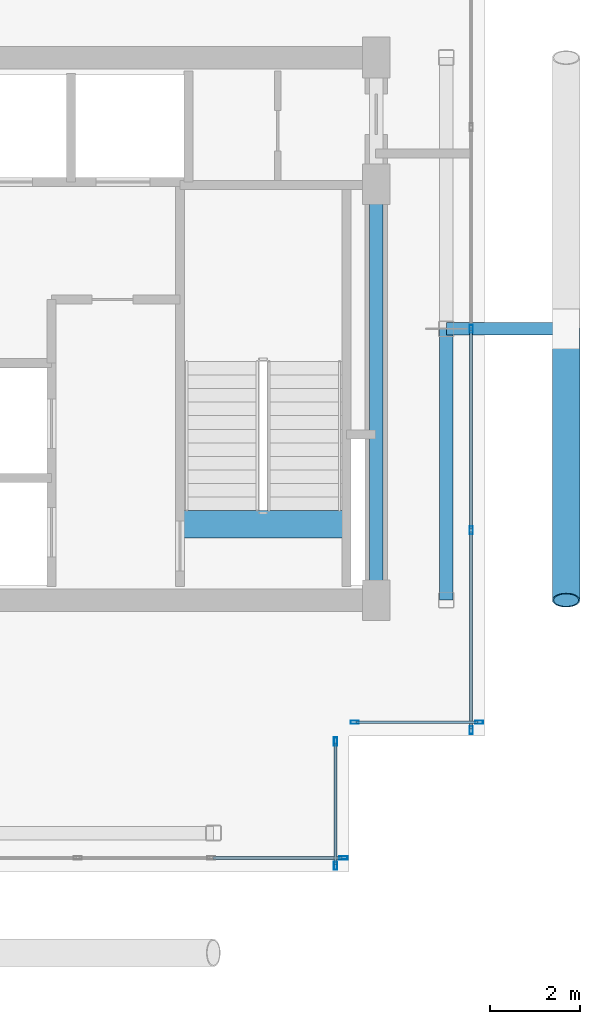
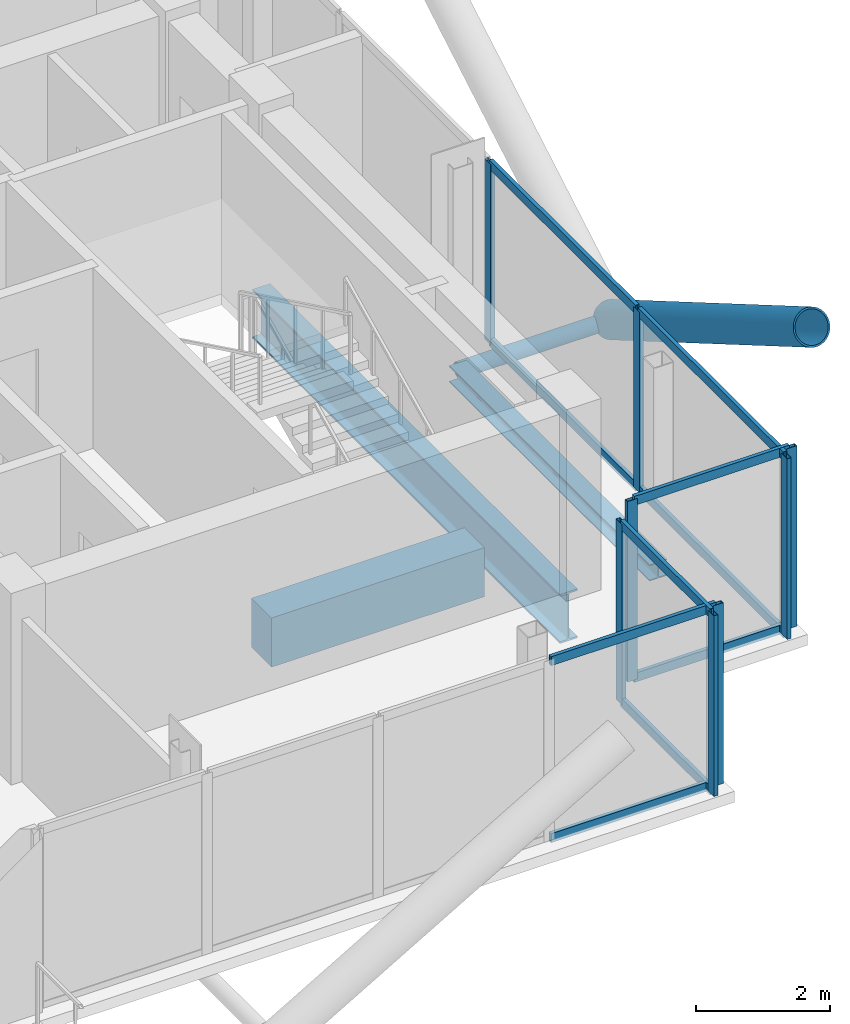
# One storey, part 11 of 18: 20 members, 3 beams, 4 elements without a shape of their own.
"""IFC4 building model written with IfcOpenShell, lengths in metres."""

from ifc_helpers import new_model, si_unit, direction, frame, origin, origin_2d, place, context, subcontext, project, spatial, rectangle, hollow_rectangle, hollow_circle, i_section, extrude, material, layer, layer_set, material_profile, profile_set, type_object, element, aggregate, save


model = new_model("IFC4")

# Units and contexts
model_context = context("Model", 3, precision=1e-05, world=origin(), true_north=direction((0.0, 1.0)))
body_context = subcontext(model_context, "Body", "Model", "MODEL_VIEW")
ifc_project = project(units=[si_unit("LENGTHUNIT", "METRE"), si_unit("AREAUNIT", "SQUARE_METRE"), si_unit("VOLUMEUNIT", "CUBIC_METRE"), si_unit("PLANEANGLEUNIT", "RADIAN"), si_unit("MASSUNIT", "GRAM", prefix="KILO"), si_unit("THERMODYNAMICTEMPERATUREUNIT", "KELVIN"), si_unit("POWERUNIT", "WATT")], contexts=[model_context])

# Site, building, storey
site_placement = place(None, origin())
site = spatial("IfcSite", under=ifc_project, at=site_placement, CompositionType="ELEMENT")
building_placement = place(site_placement, origin())
building = spatial("IfcBuilding", under=site, at=building_placement, Name="Svarakhadi Broadcast Tower", CompositionType="ELEMENT")
storey_placement = place(building_placement, frame((0.0, 0.0, 253.699951171875)))
storey = spatial("IfcBuildingStorey", under=building, at=storey_placement, Name="L63", CompositionType="ELEMENT", Elevation=253.699951171875)

# Curtain wall, members
ifc_material_1 = material(Name="Anodised Bronze Aluminium AA 6063-T6", Category="aluminium")
ifc_layer = layer(ifc_material_1, 0.179931640625)
ifc_layer_set = layer_set([ifc_layer], Name="Anodised Bronze Aluminium AA 6063-T6")
curtain_wall_type = type_object("IfcCurtainWallType", Name="CW_Sys_05", PredefinedType="NOTDEFINED", material=ifc_layer_set)
curtain_wall_1_placement = place(storey_placement, origin())
curtain_wall_1 = element("IfcCurtainWall", 1, at=curtain_wall_1_placement, inside=storey, type_object=curtain_wall_type, Name="L63 Unitised Facade Curtain Wall 13", PredefinedType="NOTDEFINED")
ifc_material_profile_1 = material_profile(ifc_material_1, hollow_rectangle(XDim=0.070068359375, YDim=0.179931640625, WallThickness=0.005615234375, at=origin_2d()), Name="ALU MULLION 180x70x6")
ifc_profile_set_1 = profile_set([ifc_material_profile_1], Name="Anodised Bronze Aluminium AA 6063-T6")
member_type_1 = type_object("IfcMemberType", Name="CW_Sys_05_Mul", PredefinedType="MULLION", material=ifc_profile_set_1)
member_1_placement = place(storey_placement, frame((35.699951171875, 12.0, 0.0), z_axis=(0.0, 0.0, 1.0), x_axis=(1.0, 0.0, 0.0)))
member_1 = element("IfcMember", 2, at=member_1_placement, type_object=member_type_1, Name="CW-05 mullion 3", PredefinedType="MULLION", context=body_context, shape_type="SweptSolid", body=[
    extrude(hollow_rectangle(XDim=0.070068359375, YDim=0.179931640625, WallThickness=0.005615234375, at=origin_2d()), origin(), (0.0, 0.0, 1.0), 3.300048828125),
])
member_2_placement = place(storey_placement, frame((35.699951171875, 7.544921875, 0.0), z_axis=(0.0, 0.0, 1.0), x_axis=(1.0, 0.0, 0.0)))
member_2 = element("IfcMember", 3, at=member_2_placement, type_object=member_type_1, Name="CW-05 mullion 4", PredefinedType="MULLION", context=body_context, shape_type="SweptSolid", body=[
    extrude(hollow_rectangle(XDim=0.070068359375, YDim=0.179931640625, WallThickness=0.005615234375, at=origin_2d()), origin(), (0.0, 0.0, 1.0), 3.300048828125),
])
member_3_placement = place(storey_placement, frame((35.699951171875, 3.125, 0.0), z_axis=(0.0, 0.0, 1.0), x_axis=(1.0, 0.0, 0.0)))
member_3 = element("IfcMember", 4, at=member_3_placement, type_object=member_type_1, Name="CW-05 mullion 5", PredefinedType="MULLION", context=body_context, shape_type="SweptSolid", body=[
    extrude(hollow_rectangle(XDim=0.070068359375, YDim=0.179931640625, WallThickness=0.005615234375, at=origin_2d()), origin(), (0.0, 0.0, 1.0), 3.300048828125),
])

curtain_wall_2_placement = place(storey_placement, origin())
curtain_wall_2 = element("IfcCurtainWall", 5, at=curtain_wall_2_placement, inside=storey, type_object=curtain_wall_type, Name="L63 Unitised Facade Curtain Wall 14", PredefinedType="NOTDEFINED")
member_4_placement = place(storey_placement, frame((35.875, 3.300048828125, 0.0), z_axis=(0.0, 0.0, 1.0), x_axis=(0.0, -1.0, 0.0)))
member_4 = element("IfcMember", 6, at=member_4_placement, type_object=member_type_1, Name="CW-05 mullion 1", PredefinedType="MULLION", context=body_context, shape_type="SweptSolid", body=[
    extrude(hollow_rectangle(XDim=0.070068359375, YDim=0.179931640625, WallThickness=0.005615234375, at=origin_2d()), origin(), (0.0, 0.0, 1.0), 3.300048828125),
])
member_5_placement = place(storey_placement, frame((33.125, 3.300048828125, 0.0), z_axis=(0.0, 0.0, 1.0), x_axis=(0.0, -1.0, 0.0)))
member_5 = element("IfcMember", 7, at=member_5_placement, type_object=member_type_1, Name="CW-05 mullion 2", PredefinedType="MULLION", context=body_context, shape_type="SweptSolid", body=[
    extrude(hollow_rectangle(XDim=0.070068359375, YDim=0.179931640625, WallThickness=0.005615234375, at=origin_2d()), origin(), (0.0, 0.0, 1.0), 3.300048828125),
])

curtain_wall_3_placement = place(storey_placement, origin())
curtain_wall_3 = element("IfcCurtainWall", 8, at=curtain_wall_3_placement, inside=storey, type_object=curtain_wall_type, Name="L63 Unitised Facade Curtain Wall 15", PredefinedType="NOTDEFINED")
member_6_placement = place(storey_placement, frame((32.699951171875, 2.875, 0.0), z_axis=(0.0, 0.0, 1.0), x_axis=(1.0, 0.0, 0.0)))
member_6 = element("IfcMember", 9, at=member_6_placement, type_object=member_type_1, Name="CW-05 mullion 1", PredefinedType="MULLION", context=body_context, shape_type="SweptSolid", body=[
    extrude(hollow_rectangle(XDim=0.070068359375, YDim=0.179931640625, WallThickness=0.005615234375, at=origin_2d()), origin(), (0.0, 0.0, 1.0), 3.300048828125),
])
member_7_placement = place(storey_placement, frame((32.699951171875, 0.125, 0.0), z_axis=(0.0, 0.0, 1.0), x_axis=(1.0, 0.0, 0.0)))
member_7 = element("IfcMember", 10, at=member_7_placement, type_object=member_type_1, Name="CW-05 mullion 2", PredefinedType="MULLION", context=body_context, shape_type="SweptSolid", body=[
    extrude(hollow_rectangle(XDim=0.070068359375, YDim=0.179931640625, WallThickness=0.005615234375, at=origin_2d()), origin(), (0.0, 0.0, 1.0), 3.300048828125),
])

# Curtain wall, member
curtain_wall_4_placement = place(storey_placement, origin())
curtain_wall_4 = element("IfcCurtainWall", 11, at=curtain_wall_4_placement, inside=storey, type_object=curtain_wall_type, Name="L63 South Curtain Wall 16", PredefinedType="NOTDEFINED")
member_8_placement = place(storey_placement, frame((32.875, 0.300048828125, 0.0), z_axis=(0.0, 0.0, 1.0), x_axis=(0.0, -1.0, 0.0)))
member_8 = element("IfcMember", 12, at=member_8_placement, type_object=member_type_1, Name="CW-05 mullion 1", PredefinedType="MULLION", context=body_context, shape_type="SweptSolid", body=[
    extrude(hollow_rectangle(XDim=0.070068359375, YDim=0.179931640625, WallThickness=0.005615234375, at=origin_2d()), origin(), (0.0, 0.0, 1.0), 3.300048828125),
])

# Member
ifc_material_profile_2 = material_profile(ifc_material_1, hollow_rectangle(XDim=0.06494140625, YDim=0.1650390625, WallThickness=0.0048828125, at=origin_2d()), Name="ALU TRANSOM 165x65x5")
ifc_profile_set_2 = profile_set([ifc_material_profile_2], Name="Anodised Bronze Aluminium AA 6063-T6")
member_type_2 = type_object("IfcMemberType", Name="CW_Sys_05_Trn", PredefinedType="USERDEFINED", material=ifc_profile_set_2)
member_9_placement = place(storey_placement, frame((35.699951171875, 11.965087890625, 0.032470703125), z_axis=(0.0, -1.0, 0.0), x_axis=(1.0, 0.0, 0.0)))
member_9 = element("IfcMember", 13, at=member_9_placement, type_object=member_type_2, Name="CW-05 transom 3.1", ObjectType="TRANSOM", PredefinedType="USERDEFINED", context=body_context, shape_type="SweptSolid", body=[
    extrude(hollow_rectangle(XDim=0.06494140625, YDim=0.1650390625, WallThickness=0.0048828125, at=origin_2d()), origin(), (0.0, 0.0, 1.0), 4.385009765625),
])

member_10_placement = place(storey_placement, frame((35.699951171875, 11.965087890625, 3.267578125), z_axis=(0.0, -1.0, 0.0), x_axis=(1.0, 0.0, 0.0)))
member_10 = element("IfcMember", 14, at=member_10_placement, type_object=member_type_2, Name="CW-05 transom 3.2", ObjectType="TRANSOM", PredefinedType="USERDEFINED", context=body_context, shape_type="SweptSolid", body=[
    extrude(hollow_rectangle(XDim=0.06494140625, YDim=0.1650390625, WallThickness=0.0048828125, at=origin_2d()), origin(), (0.0, 0.0, 1.0), 4.385009765625),
])

member_11_placement = place(storey_placement, frame((35.699951171875, 7.510009765625, 0.032470703125), z_axis=(0.0, -1.0, 0.0), x_axis=(1.0, 0.0, 0.0)))
member_11 = element("IfcMember", 15, at=member_11_placement, type_object=member_type_2, Name="CW-05 transom 4.1", ObjectType="TRANSOM", PredefinedType="USERDEFINED", context=body_context, shape_type="SweptSolid", body=[
    extrude(hollow_rectangle(XDim=0.06494140625, YDim=0.1650390625, WallThickness=0.0048828125, at=origin_2d()), origin(), (0.0, 0.0, 1.0), 4.35009765625),
])

member_12_placement = place(storey_placement, frame((35.699951171875, 7.510009765625, 3.267578125), z_axis=(0.0, -1.0, 0.0), x_axis=(1.0, 0.0, 0.0)))
member_12 = element("IfcMember", 16, at=member_12_placement, type_object=member_type_2, Name="CW-05 transom 4.2", ObjectType="TRANSOM", PredefinedType="USERDEFINED", context=body_context, shape_type="SweptSolid", body=[
    extrude(hollow_rectangle(XDim=0.06494140625, YDim=0.1650390625, WallThickness=0.0048828125, at=origin_2d()), origin(), (0.0, 0.0, 1.0), 4.35009765625),
])

aggregate(curtain_wall_1, [member_1, member_2, member_3, member_9, member_10, member_11, member_12])

member_13_placement = place(storey_placement, frame((35.840087890625, 3.300048828125, 0.032470703125), z_axis=(-1.0, 0.0, 0.0), x_axis=(0.0, -1.0, 0.0)))
member_13 = element("IfcMember", 17, at=member_13_placement, type_object=member_type_2, Name="CW-05 transom 1.1", ObjectType="TRANSOM", PredefinedType="USERDEFINED", context=body_context, shape_type="SweptSolid", body=[
    extrude(hollow_rectangle(XDim=0.06494140625, YDim=0.1650390625, WallThickness=0.0048828125, at=origin_2d()), origin(), (0.0, 0.0, 1.0), 2.68017578125),
])

member_14_placement = place(storey_placement, frame((35.840087890625, 3.300048828125, 3.267578125), z_axis=(-1.0, 0.0, 0.0), x_axis=(0.0, -1.0, 0.0)))
member_14 = element("IfcMember", 18, at=member_14_placement, type_object=member_type_2, Name="CW-05 transom 1.2", ObjectType="TRANSOM", PredefinedType="USERDEFINED", context=body_context, shape_type="SweptSolid", body=[
    extrude(hollow_rectangle(XDim=0.06494140625, YDim=0.1650390625, WallThickness=0.0048828125, at=origin_2d()), origin(), (0.0, 0.0, 1.0), 2.68017578125),
])

aggregate(curtain_wall_2, [member_4, member_5, member_13, member_14])

member_15_placement = place(storey_placement, frame((32.699951171875, 2.840087890625, 0.032470703125), z_axis=(0.0, -1.0, 0.0), x_axis=(1.0, 0.0, 0.0)))
member_15 = element("IfcMember", 19, at=member_15_placement, type_object=member_type_2, Name="CW-05 transom 1.1", ObjectType="TRANSOM", PredefinedType="USERDEFINED", context=body_context, shape_type="SweptSolid", body=[
    extrude(hollow_rectangle(XDim=0.06494140625, YDim=0.1650390625, WallThickness=0.0048828125, at=origin_2d()), origin(), (0.0, 0.0, 1.0), 2.68017578125),
])

member_16_placement = place(storey_placement, frame((32.699951171875, 2.840087890625, 3.267578125), z_axis=(0.0, -1.0, 0.0), x_axis=(1.0, 0.0, 0.0)))
member_16 = element("IfcMember", 20, at=member_16_placement, type_object=member_type_2, Name="CW-05 transom 1.2", ObjectType="TRANSOM", PredefinedType="USERDEFINED", context=body_context, shape_type="SweptSolid", body=[
    extrude(hollow_rectangle(XDim=0.06494140625, YDim=0.1650390625, WallThickness=0.0048828125, at=origin_2d()), origin(), (0.0, 0.0, 1.0), 2.68017578125),
])

aggregate(curtain_wall_3, [member_6, member_7, member_15, member_16])

member_17_placement = place(storey_placement, frame((32.840087890625, 0.300048828125, 0.032470703125), z_axis=(-1.0, 0.0, 0.0), x_axis=(0.0, -1.0, 0.0)))
member_17 = element("IfcMember", 21, at=member_17_placement, type_object=member_type_2, Name="CW-05 transom 1.1", ObjectType="TRANSOM", PredefinedType="USERDEFINED", context=body_context, shape_type="SweptSolid", body=[
    extrude(hollow_rectangle(XDim=0.06494140625, YDim=0.1650390625, WallThickness=0.0048828125, at=origin_2d()), origin(), (0.0, 0.0, 1.0), 2.85009765625),
])

member_18_placement = place(storey_placement, frame((32.840087890625, 0.300048828125, 3.267578125), z_axis=(-1.0, 0.0, 0.0), x_axis=(0.0, -1.0, 0.0)))
member_18 = element("IfcMember", 22, at=member_18_placement, type_object=member_type_2, Name="CW-05 transom 1.2", ObjectType="TRANSOM", PredefinedType="USERDEFINED", context=body_context, shape_type="SweptSolid", body=[
    extrude(hollow_rectangle(XDim=0.06494140625, YDim=0.1650390625, WallThickness=0.0048828125, at=origin_2d()), origin(), (0.0, 0.0, 1.0), 2.85009765625),
])

aggregate(curtain_wall_4, [member_8, member_17, member_18])

# Beam
ifc_material_2 = material(Name="Concrete C50/60 (IS 456 M60)", Category="concrete")
ifc_material_profile_3 = material_profile(ifc_material_2, rectangle(XDim=0.60009765625, YDim=0.89990234375, at=origin_2d()), Name="RC 600x900")
ifc_profile_set_3 = profile_set([ifc_material_profile_3], Name="Concrete C50/60 (IS 456 M60)")
beam_type_1 = type_object("IfcBeamType", Name="Coupling_RC600", PredefinedType="USERDEFINED", material=ifc_profile_set_3)
beam_1_placement = place(storey_placement, frame((29.260009765625, 7.679931640625, -0.449951171875), z_axis=(1.0, 0.0, 0.0), x_axis=(0.0, 1.0, 0.0)))
element("IfcBeam", 23, at=beam_1_placement, inside=storey, type_object=beam_type_1, Name="L63 Stair ST-02 Landing Throat Trimmer Beam CB-01", ObjectType="GIRDER", PredefinedType="USERDEFINED", context=body_context, shape_type="SweptSolid", body=[
    extrude(rectangle(XDim=0.60009765625, YDim=0.89990234375, at=origin_2d()), origin(), (0.0, 0.0, 1.0), 3.679931640625),
])

# Members
ifc_material_3 = material(Name="Steel S460ML (IS 2062 E450BR)", Category="steel")
ifc_material_profile_4 = material_profile(ifc_material_3, hollow_circle(Radius=0.304931640625, WallThickness=0.030029296875, at=origin_2d()), Name="CHS 610x30")
ifc_profile_set_4 = profile_set([ifc_material_profile_4], Name="Steel S460ML (IS 2062 E450BR)")
member_type_3 = type_object("IfcMemberType", Name="Exo_Brace_CHS610", PredefinedType="BRACE", material=ifc_profile_set_4)
member_19_placement = place(storey_placement, frame((37.800048828125, 12.0, -0.33642578125), z_axis=(0.0, -0.863778900898, 0.503871025524), x_axis=(1.0, 0.0, 0.0)))
element("IfcMember", 24, at=member_19_placement, inside=storey, type_object=member_type_3, Name="L63 Exposed Bronze Exoskeleton Diagonal E02", PredefinedType="BRACE", context=body_context, shape_type="SweptSolid", body=[
    extrude(hollow_circle(Radius=0.304931640625, WallThickness=0.030029296875, at=origin_2d()), origin(), (0.0, 0.0, 1.0), 6.9462890625),
])
ifc_material_profile_5 = material_profile(ifc_material_3, hollow_circle(Radius=0.136474609375, WallThickness=0.012451171875, at=origin_2d()), Name="CHS 273x12.5")
ifc_profile_set_5 = profile_set([ifc_material_profile_5], Name="Steel S460ML (IS 2062 E450BR)")
member_type_4 = type_object("IfcMemberType", Name="Exo_Radial_Strut_Z3", PredefinedType="STRUT", material=ifc_profile_set_5)
member_20_placement = place(storey_placement, frame((37.800048828125, 12.0, -0.33642578125), z_axis=(-1.0, 0.0, 0.0), x_axis=(0.0, -1.0, 0.0)))
element("IfcMember", 25, at=member_20_placement, inside=storey, type_object=member_type_4, Name="L63 Exoskeleton Radial Tie Strut E02", PredefinedType="STRUT", context=body_context, shape_type="SweptSolid", body=[
    extrude(hollow_circle(Radius=0.136474609375, WallThickness=0.012451171875, at=origin_2d()), origin(), (0.0, 0.0, 1.0), 2.650146484375),
])

# Beams
ifc_material_4 = material(Name="Steel S355J2 (IS 2062 E350C)", Category="steel")
ifc_material_profile_6 = material_profile(ifc_material_4, i_section(OverallWidth=0.300048828125, OverallDepth=0.300048828125, WebThickness=0.010986328125, FlangeThickness=0.01904296875, FilletRadius=0.027099609375, at=origin_2d()), Name="WPB 300x300x117")
ifc_profile_set_6 = profile_set([ifc_material_profile_6], Name="Steel S355J2 (IS 2062 E350C)")
beam_type_2 = type_object("IfcBeamType", Name="Girder_WPB300", PredefinedType="USERDEFINED", material=ifc_profile_set_6)
beam_2_placement = place(storey_placement, frame((35.14990234375, 6.0, -0.349853515625), z_axis=(0.0, 1.0, 0.0), x_axis=(-1.0, 0.0, 0.0)))
element("IfcBeam", 26, at=beam_2_placement, inside=storey, type_object=beam_type_2, Name="L63 Primary N-S Girder G045", ObjectType="GIRDER", PredefinedType="USERDEFINED", context=body_context, shape_type="SweptSolid", body=[
    extrude(i_section(OverallWidth=0.300048828125, OverallDepth=0.300048828125, WebThickness=0.010986328125, FlangeThickness=0.01904296875, FilletRadius=0.027099609375, at=origin_2d()), origin(), (0.0, 0.0, 1.0), 6.0),
])
ifc_material_profile_7 = material_profile(ifc_material_3, i_section(OverallWidth=0.300048828125, OverallDepth=0.89990234375, WebThickness=0.0185546875, FlangeThickness=0.034912109375, FilletRadius=0.030029296875, at=origin_2d()), Name="WPB 900x300x291")
ifc_profile_set_7 = profile_set([ifc_material_profile_7], Name="Steel S460ML (IS 2062 E450BR)")
beam_type_3 = type_object("IfcBeamType", Name="Girder_WPB900", PredefinedType="USERDEFINED", material=ifc_profile_set_7)
beam_3_placement = place(storey_placement, frame((33.60009765625, 6.0, -0.64990234375), z_axis=(0.0, 1.0, 0.0), x_axis=(-1.0, 0.0, 0.0)))
element("IfcBeam", 27, at=beam_3_placement, inside=storey, type_object=beam_type_3, Name="L63 Primary N-S Girder G043", ObjectType="GIRDER", PredefinedType="USERDEFINED", context=body_context, shape_type="SweptSolid", body=[
    extrude(i_section(OverallWidth=0.300048828125, OverallDepth=0.89990234375, WebThickness=0.0185546875, FlangeThickness=0.034912109375, FilletRadius=0.030029296875, at=origin_2d()), origin(), (0.0, 0.0, 1.0), 9.199951171875),
])

save(model, "model.ifc")
